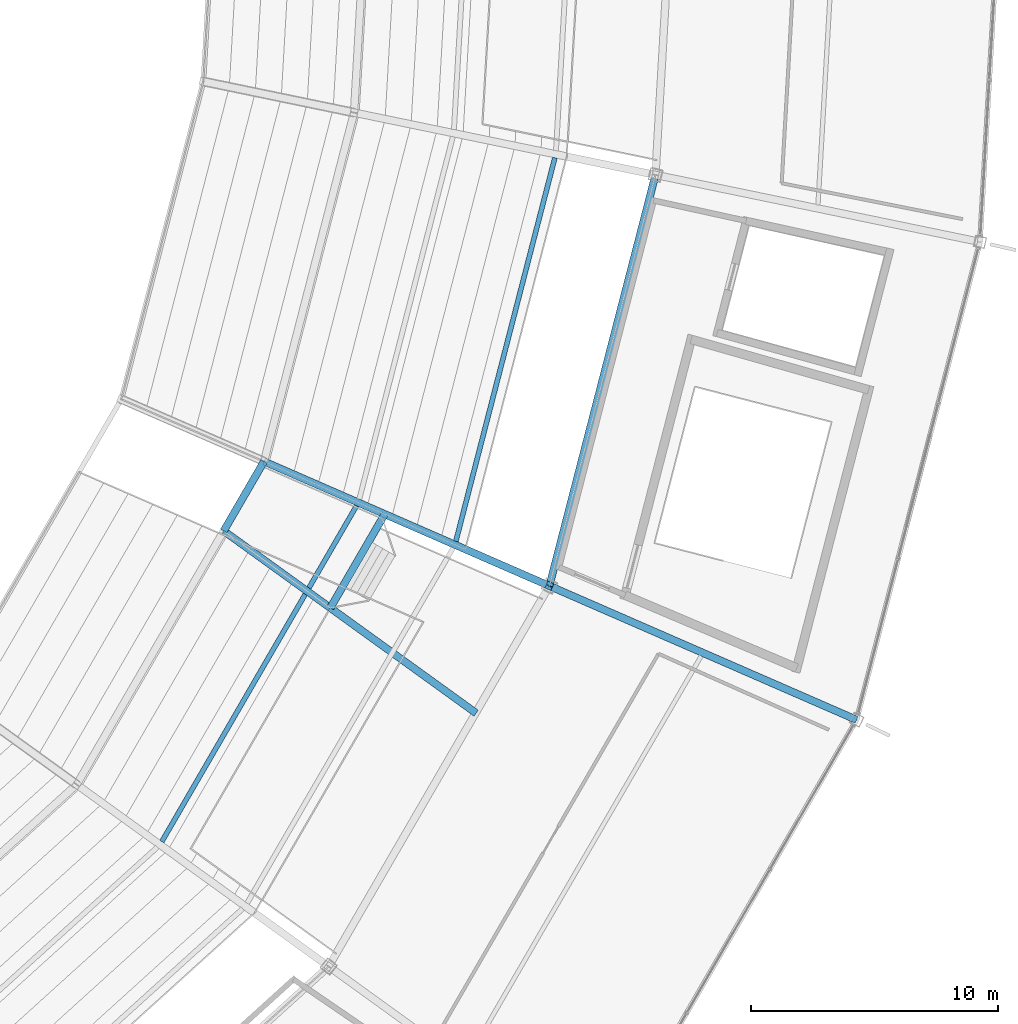
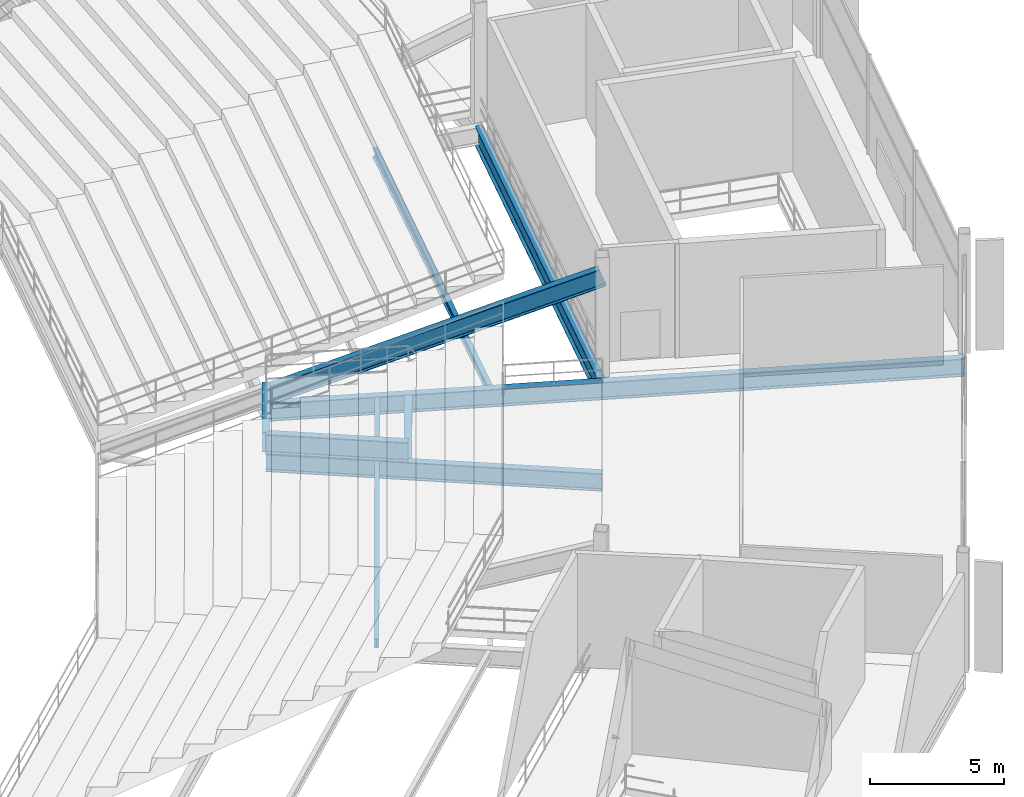
# One storey, part 64 of 186: 10 beams.
"""IFC4 building model written with IfcOpenShell, lengths in metres."""

from ifc_helpers import new_model, si_unit, direction, frame, origin, origin_2d, place, context, subcontext, project, spatial, i_section, extrude, material, material_profile, profile_set, type_object, element, save


model = new_model("IFC4")

# Units and contexts
model_context = context("Model", 3, precision=1e-05, world=origin(), true_north=direction((0.0, 1.0)))
body_context = subcontext(model_context, "Body", "Model", "MODEL_VIEW")
ifc_project = project(units=[si_unit("LENGTHUNIT", "METRE"), si_unit("AREAUNIT", "SQUARE_METRE"), si_unit("VOLUMEUNIT", "CUBIC_METRE"), si_unit("PLANEANGLEUNIT", "RADIAN"), si_unit("MASSUNIT", "GRAM", prefix="KILO")], contexts=[model_context])

# Site, building, storey
site_placement = place(None, origin())
site = spatial("IfcSite", under=ifc_project, at=site_placement, CompositionType="ELEMENT")
building_placement = place(site_placement, origin())
building = spatial("IfcBuilding", under=site, at=building_placement, Name="Kazemori Nagisa Stadium", CompositionType="ELEMENT")
storey_placement = place(building_placement, frame((0.0, 0.0, 20.39990234375)))
storey = spatial("IfcBuildingStorey", under=building, at=storey_placement, Name="L04", CompositionType="ELEMENT", Elevation=20.39990234375)

# Beams
ifc_material = material(Name="Steel SN490B", Category="steel")
ifc_material_profile_1 = material_profile(ifc_material, i_section(OverallWidth=0.300048828125, OverallDepth=0.800048828125, WebThickness=0.013916015625, FlangeThickness=0.02587890625, FilletRadius=0.01806640625, at=origin_2d()), Name="H-800x300x14x26")
ifc_profile_set_1 = profile_set([ifc_material_profile_1], Name="Steel SN490B")
beam_type_1 = type_object("IfcBeamType", Name="Beam_BG-H800", PredefinedType="BEAM", material=ifc_profile_set_1)
beam_1_placement = place(storey_placement, frame((187.885986328125, 73.712890625, -0.699951171875), z_axis=(0.916671768981, -0.399640923771, 0.0), x_axis=(0.399640923771, 0.916671768981, 0.0)))
element("IfcBeam", 1, at=beam_1_placement, inside=storey, type_object=beam_type_1, Name="Radial girder BG-H800 L04 R1-R2-27", PredefinedType="BEAM", context=body_context, shape_type="SweptSolid", body=[
    extrude(i_section(OverallWidth=0.300048828125, OverallDepth=0.800048828125, WebThickness=0.013916015625, FlangeThickness=0.02587890625, FilletRadius=0.01806640625, at=origin_2d()), origin(), (0.0, 0.0, 1.0), 12.605224609375),
])
beam_2_placement = place(storey_placement, frame((199.44091796875, 68.67529296875, -0.699951171875), z_axis=(0.916683633521, -0.399613708517, 0.0), x_axis=(0.399613708517, 0.916683633521, 0.0)))
element("IfcBeam", 2, at=beam_2_placement, inside=storey, type_object=beam_type_1, Name="Radial girder BG-H800 L04 R2-R3-27", PredefinedType="BEAM", context=body_context, shape_type="SweptSolid", body=[
    extrude(i_section(OverallWidth=0.300048828125, OverallDepth=0.800048828125, WebThickness=0.013916015625, FlangeThickness=0.02587890625, FilletRadius=0.01806640625, at=origin_2d()), origin(), (0.0, 0.0, 1.0), 13.5751953125),
])
beam_3_placement = place(storey_placement, frame((186.255859375, 70.9013671875, -0.699951171875), z_axis=(0.810786466019, -0.585342042331, 0.0), x_axis=(0.585342042331, 0.810786466019, 0.0)))
element("IfcBeam", 3, at=beam_3_placement, inside=storey, type_object=beam_type_1, Name="Upper vomitory radial carrier girder B26", PredefinedType="BEAM", context=body_context, shape_type="SweptSolid", body=[
    extrude(i_section(OverallWidth=0.300048828125, OverallDepth=0.800048828125, WebThickness=0.013916015625, FlangeThickness=0.02587890625, FilletRadius=0.01806640625, at=origin_2d()), origin(), (0.0, 0.0, 1.0), 12.605224609375),
])
ifc_material_profile_2 = material_profile(ifc_material, i_section(OverallWidth=0.300048828125, OverallDepth=0.89990234375, WebThickness=0.01611328125, FlangeThickness=0.028076171875, FilletRadius=0.01806640625, at=origin_2d()), Name="H-900x300x16x28")
ifc_profile_set_2 = profile_set([ifc_material_profile_2], Name="Steel SN490B")
beam_type_2 = type_object("IfcBeamType", Name="Beam_BG-H900", PredefinedType="BEAM", material=ifc_profile_set_2)
beam_4_placement = place(storey_placement, frame((199.44091796875, 68.67529296875, -0.75), z_axis=(0.249974673676, 0.968252375427, 0.0), x_axis=(-0.968252375427, 0.249974673676, 0.0)))
element("IfcBeam", 4, at=beam_4_placement, inside=storey, type_object=beam_type_2, Name="Ring girder BG-H900 L04 R2-27", PredefinedType="BEAM", context=body_context, shape_type="SweptSolid", body=[
    extrude(i_section(OverallWidth=0.300048828125, OverallDepth=0.89990234375, WebThickness=0.01611328125, FlangeThickness=0.028076171875, FilletRadius=0.01806640625, at=origin_2d()), origin(), (0.0, 0.0, 1.0), 17.188232421875),
])
ifc_material_profile_3 = material_profile(ifc_material, i_section(OverallWidth=0.300048828125, OverallDepth=0.89990234375, WebThickness=0.01806640625, FlangeThickness=0.031982421875, FilletRadius=0.01806640625, at=origin_2d()), Name="H-900x300x18x32")
ifc_profile_set_3 = profile_set([ifc_material_profile_3], Name="Steel SN490B")
beam_type_3 = type_object("IfcBeamType", Name="Beam_BG-TR900", PredefinedType="BEAM", material=ifc_profile_set_3)
beam_5_placement = place(storey_placement, frame((186.255859375, 70.9013671875, 0.150146484375), z_axis=(0.8107892387, -0.585338201733, 0.0), x_axis=(0.585338201733, 0.8107892387, 0.0)))
element("IfcBeam", 5, at=beam_5_placement, inside=storey, type_object=beam_type_3, Name="Upper vomitory left transfer girder B26", PredefinedType="BEAM", context=body_context, shape_type="SweptSolid", body=[
    extrude(i_section(OverallWidth=0.300048828125, OverallDepth=0.89990234375, WebThickness=0.01806640625, FlangeThickness=0.031982421875, FilletRadius=0.01806640625, at=origin_2d()), origin(), (0.0, 0.0, 1.0), 5.32470703125),
])
beam_6_placement = place(storey_placement, frame((190.572998046875, 67.78466796875, -0.75), z_axis=(0.501628180999, 0.865083330106, 0.0), x_axis=(-0.865083330106, 0.501628180999, 0.0)))
element("IfcBeam", 6, at=beam_6_placement, inside=storey, type_object=beam_type_3, Name="Upper vomitory portal header girder B26", PredefinedType="BEAM", context=body_context, shape_type="SweptSolid", body=[
    extrude(i_section(OverallWidth=0.300048828125, OverallDepth=0.89990234375, WebThickness=0.01806640625, FlangeThickness=0.031982421875, FilletRadius=0.01806640625, at=origin_2d()), origin(), (0.0, 0.0, 1.0), 4.388916015625),
])
beam_7_placement = place(storey_placement, frame((186.255859375, 70.9013671875, 0.150146484375), z_axis=(0.501589920339, 0.865105514845, 0.0), x_axis=(-0.865105514845, 0.501589920339, 0.0)))
element("IfcBeam", 7, at=beam_7_placement, inside=storey, type_object=beam_type_3, Name="Upper vomitory inner sill girder B26", PredefinedType="BEAM", context=body_context, shape_type="SweptSolid", body=[
    extrude(i_section(OverallWidth=0.300048828125, OverallDepth=0.89990234375, WebThickness=0.01806640625, FlangeThickness=0.031982421875, FilletRadius=0.01806640625, at=origin_2d()), origin(), (0.0, 0.0, 1.0), 3.25),
])
ifc_material_profile_4 = material_profile(ifc_material, i_section(OverallWidth=0.199951171875, OverallDepth=0.39990234375, WebThickness=0.008056640625, FlangeThickness=0.012939453125, FilletRadius=0.012939453125, at=origin_2d()), Name="H-400x200x8x13")
ifc_profile_set_4 = profile_set([ifc_material_profile_4], Name="Steel SN490B")
beam_type_4 = type_object("IfcBeamType", Name="Beam_BJ-H400", PredefinedType="JOIST", material=ifc_profile_set_4)
beam_8_placement = place(storey_placement, frame((183.749755859375, 58.3212890625, -0.5), z_axis=(0.501603039788, 0.865097908028, 0.0), x_axis=(-0.865097908028, 0.501603039788, 0.0)))
element("IfcBeam", 8, at=beam_8_placement, inside=storey, type_object=beam_type_4, Name="Concourse joist BJ-H400 L04 B26-1", PredefinedType="JOIST", context=body_context, shape_type="SweptSolid", body=[
    extrude(i_section(OverallWidth=0.199951171875, OverallDepth=0.39990234375, WebThickness=0.008056640625, FlangeThickness=0.012939453125, FilletRadius=0.012939453125, at=origin_2d()), origin(), (0.0, 0.0, 1.0), 15.720703125),
])
beam_9_placement = place(storey_placement, frame((195.6552734375, 70.48193359375, -0.5), z_axis=(0.249956740753, 0.968257005011, 0.0), x_axis=(-0.968257005011, 0.249956740753, 0.0)))
element("IfcBeam", 9, at=beam_9_placement, inside=storey, type_object=beam_type_4, Name="Concourse joist BJ-H400 L04 B27-2", PredefinedType="JOIST", context=body_context, shape_type="SweptSolid", body=[
    extrude(i_section(OverallWidth=0.199951171875, OverallDepth=0.39990234375, WebThickness=0.008056640625, FlangeThickness=0.012939453125, FilletRadius=0.012939453125, at=origin_2d()), origin(), (0.0, 0.0, 1.0), 16.038818359375),
])
ifc_material_profile_5 = material_profile(ifc_material, i_section(OverallWidth=0.300048828125, OverallDepth=0.800048828125, WebThickness=0.013916015625, FlangeThickness=0.02587890625, FilletRadius=0.01806640625, at=origin_2d()), Name="H-800x300x14x26")
ifc_profile_set_5 = profile_set([ifc_material_profile_5], Name="Steel SN490B")
beam_type_5 = type_object("IfcBeamType", Name="Beam_RK-ST800", PredefinedType="USERDEFINED", material=ifc_profile_set_5)
beam_10_placement = place(storey_placement, frame((187.885986328125, 73.712890625, 0.02001953125), z_axis=(0.864815739813, -0.377033277173, 0.331571476571), x_axis=(0.399640923771, 0.916671768981, 0.0)))
element("IfcBeam", 10, at=beam_10_placement, inside=storey, type_object=beam_type_5, Name="Raker beam upper backspan RK3-27B", ObjectType="RAKER BEAM", PredefinedType="USERDEFINED", context=body_context, shape_type="SweptSolid", body=[
    extrude(i_section(OverallWidth=0.300048828125, OverallDepth=0.800048828125, WebThickness=0.013916015625, FlangeThickness=0.02587890625, FilletRadius=0.01806640625, at=origin_2d()), origin(), (0.0, 0.0, 1.0), 13.361083984375),
])

save(model, "model.ifc")
